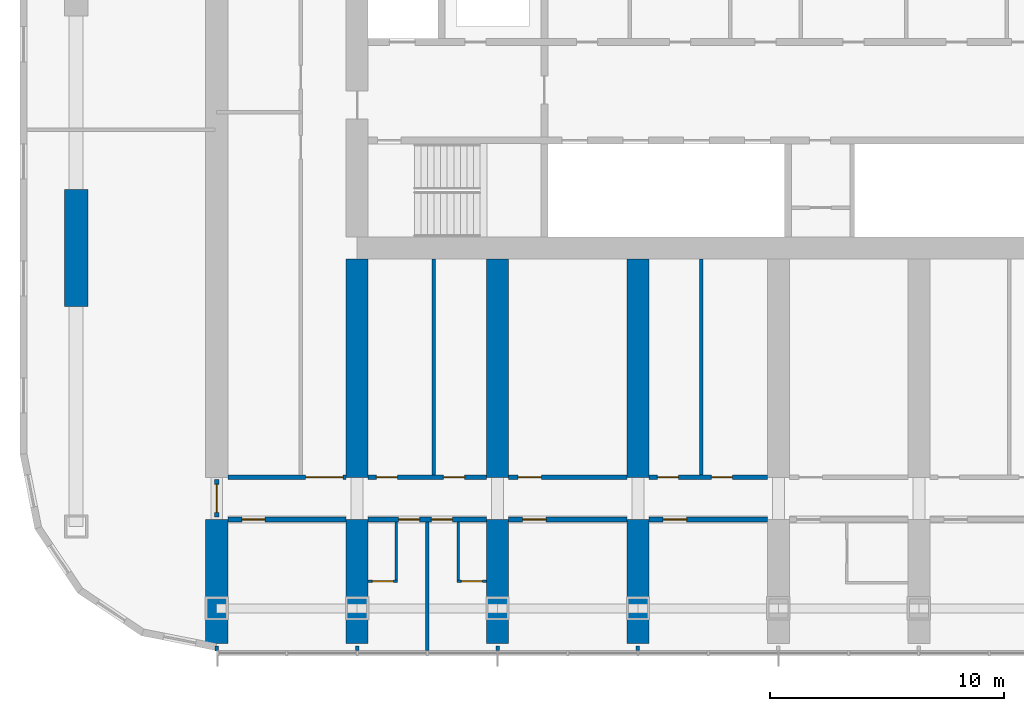
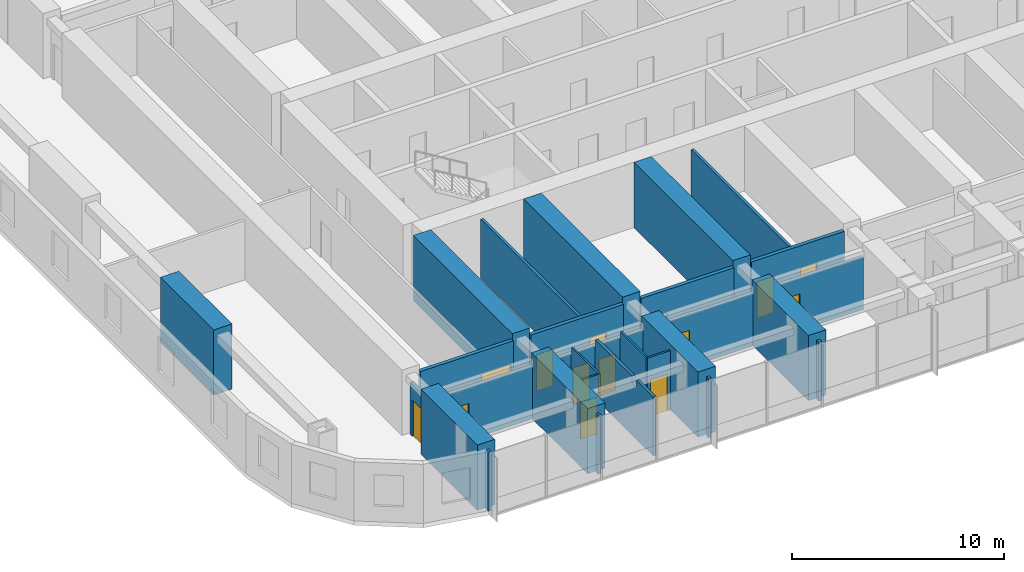
# One storey, part 8 of 20: 28 walls, 14 doors, 14 openings.
"""IFC4 building model written with IfcOpenShell, lengths in metres."""

import ifcopenshell
import ifcopenshell.guid

model = None  # the IFC model being written
_history = None  # IfcOwnerHistory: only IFC2X3 demands one
_inside = {}  # id of a spatial element -> (the spatial element, [elements in it])
_under = {}  # id of a project, library or spatial element -> (it, [spatial elements below it])
_declared = {}  # id of a project -> (the project, [libraries it declares])
_typed = {}  # id of a type object -> (the type object, [elements of that type])
_made_of = {}  # id of a material, layer set ... -> (it, [elements and type objects made of it])


def new_model(schema):
    """Start an empty IFC model of exactly this schema.

    Asked for "IFC4X3", IfcOpenShell would pick the latest addendum, in which some entities
    have other attributes; the version numbers below select the first issue.
    IFC2X3 requires an IfcOwnerHistory on every rooted entity: one is made here for all.
    """
    global model, _history
    if schema == "IFC4X3":
        model = ifcopenshell.file(schema_version=(4, 3, 0, 0))
    else:
        model = ifcopenshell.file(schema=schema)
    _inside.clear()
    _under.clear()
    _declared.clear()
    _typed.clear()
    _made_of.clear()
    _history = None
    if model.schema == "IFC2X3":
        org = make("IfcOrganization", Name="unknown")
        user = make(
            "IfcPersonAndOrganization",
            ThePerson=make("IfcPerson", FamilyName="unknown"),
            TheOrganization=org,
        )
        app = make(
            "IfcApplication",
            ApplicationDeveloper=org,
            Version="unknown",
            ApplicationFullName="unknown",
            ApplicationIdentifier="unknown",
        )
        _history = make(
            "IfcOwnerHistory",
            OwningUser=user,
            OwningApplication=app,
            ChangeAction="ADDED",
            CreationDate=0,
        )
    return model


def make(cls, **values):
    """One entity of the class cls with the attributes given. An attribute that is None is left unset."""
    return model.create_entity(
        cls, **{name: value for name, value in values.items() if value is not None}
    )


def rooted(cls, **values):
    """An entity with a GlobalId (a new one), such as an element, a storey or a relation."""
    return make(cls, GlobalId=ifcopenshell.guid.new(), OwnerHistory=_history, **values)


def si_unit(unit_type, name, prefix=None):
    """IfcSIUnit, for example si_unit("LENGTHUNIT", "METRE", prefix="MILLI")."""
    return make("IfcSIUnit", UnitType=unit_type, Prefix=prefix, Name=name)


def assignment(units):
    """IfcUnitAssignment: the units of a project."""
    return None if units is None else make("IfcUnitAssignment", Units=units)


def point(xyz):
    """IfcCartesianPoint."""
    return None if xyz is None else make("IfcCartesianPoint", Coordinates=xyz)


def direction(xyz):
    """IfcDirection."""
    return None if xyz is None else make("IfcDirection", DirectionRatios=xyz)


def frame(location, z_axis=None, x_axis=None):
    """IfcAxis2Placement3D, a coordinate frame: its origin and axes. An axis left out is left unset."""
    return make(
        "IfcAxis2Placement3D",
        Location=point(location),
        Axis=direction(z_axis),
        RefDirection=direction(x_axis),
    )


def frame_2d(location, x_axis=None):
    """IfcAxis2Placement2D, a coordinate frame in the plane: its origin and x axis."""
    return make(
        "IfcAxis2Placement2D", Location=point(location), RefDirection=direction(x_axis)
    )


def origin():
    """The frame at (0, 0, 0) with its axes left unset."""
    return frame((0.0, 0.0, 0.0))


def place(relative_to, where):
    """IfcLocalPlacement: puts the frame where relative to a parent placement (None: the world)."""
    return make(
        "IfcLocalPlacement", PlacementRelTo=relative_to, RelativePlacement=where
    )


def context(
    kind, dimensions, precision=None, world=None, true_north=None, identifier=None
):
    """IfcGeometricRepresentationContext, for example the 3D "Model" context."""
    return make(
        "IfcGeometricRepresentationContext",
        ContextIdentifier=identifier,
        ContextType=kind,
        CoordinateSpaceDimension=dimensions,
        Precision=precision,
        WorldCoordinateSystem=world,
        TrueNorth=true_north,
    )


def subcontext(parent, identifier, kind, view, scale=None):
    """IfcGeometricRepresentationSubContext, for example "Body" below "Model"."""
    return make(
        "IfcGeometricRepresentationSubContext",
        ContextIdentifier=identifier,
        ContextType=kind,
        ParentContext=parent,
        TargetScale=scale,
        TargetView=view,
    )


def project(units=None, contexts=None):
    """IfcProject with its units and contexts."""
    return rooted(
        "IfcProject",
        Name="project",
        RepresentationContexts=contexts,
        UnitsInContext=assignment(units),
    )


def spatial(cls, under=None, at=None, **own):
    """A site, building, storey or space (cls), placed at a placement, below another one or the project."""
    s = rooted(cls, ObjectPlacement=at, **own)
    if under is not None:
        _under.setdefault(under.id(), (under, []))[1].append(s)
    return s


def polyline(points):
    """IfcPolyline through the points."""
    return make("IfcPolyline", Points=[point(p) for p in points])


def profile(cls, at=None, kind="AREA", **sizes):
    """A parametric profile (cls). Its sizes go by their IFC names, for example OverallWidth=200.0."""
    return make(cls, ProfileType=kind, Position=at, **sizes)


def rectangle(**sizes):
    """IfcRectangleProfileDef."""
    return profile("IfcRectangleProfileDef", **sizes)


def outline(outer, holes=None, kind="AREA"):
    """IfcArbitraryClosedProfileDef: a profile drawn as a closed curve; with holes, ...WithVoids."""
    if holes is None:
        return make("IfcArbitraryClosedProfileDef", ProfileType=kind, OuterCurve=outer)
    return make(
        "IfcArbitraryProfileDefWithVoids",
        ProfileType=kind,
        OuterCurve=outer,
        InnerCurves=holes,
    )


def extrude(swept, where, along, depth):
    """IfcExtrudedAreaSolid: the profile swept, set in the frame where, extruded along a direction by depth."""
    return make(
        "IfcExtrudedAreaSolid",
        SweptArea=swept,
        Position=where,
        ExtrudedDirection=direction(along),
        Depth=depth,
    )


def shape(context_of_items, identifier, shape_type, items):
    """IfcShapeRepresentation: the items that make up one representation, for example the "Body"."""
    return make(
        "IfcShapeRepresentation",
        ContextOfItems=context_of_items,
        RepresentationIdentifier=identifier,
        RepresentationType=shape_type,
        Items=items,
    )


def material(Name=None, Category=None):
    """IfcMaterial."""
    return make("IfcMaterial", Name=Name, Category=Category)


def layer(
    of_material, thickness, ventilated=None, Name=None, Category=None, Priority=None
):
    """IfcMaterialLayer: one layer of a wall or slab, of a material (None: an air gap)."""
    return make(
        "IfcMaterialLayer",
        Material=of_material,
        LayerThickness=thickness,
        IsVentilated=ventilated,
        Name=Name,
        Category=Category,
        Priority=Priority,
    )


def layer_set(layers, Name=None):
    """IfcMaterialLayerSet."""
    return make("IfcMaterialLayerSet", MaterialLayers=layers, LayerSetName=Name)


def made_of(thing, what):
    """Note that an element or type object is made of a material, layer set ...; save() writes the relation."""
    if what is not None:
        _made_of.setdefault(what.id(), (what, []))[1].append(thing)
    return thing


def type_object(cls, material=None, **own):
    """A type object (cls), such as IfcWallType, which elements share."""
    return made_of(rooted(cls, **own), material)


def element(
    cls,
    number,
    at=None,
    inside=None,
    cuts=None,
    type_object=None,
    material=None,
    context=None,
    identifier="Body",
    shape_type=None,
    held_by="IfcProductDefinitionShape",
    body=None,
    shapes=None,
    **own,
):
    """One element of the class cls, such as IfcWall. Its Tag is "e" and its number.

    at: its placement. inside: the storey or other place that contains it. cuts: it is an
    opening in that element (IfcRelVoidsElement). A single representation is given by context,
    identifier, shape_type and body (its items); several are given by shapes. held_by: the class
    of the entity that holds the representations. save() writes the other relations.
    """
    e = rooted(cls, Tag="e%d" % number, ObjectPlacement=at, **own)
    if body is not None:
        shapes = [shape(context, identifier, shape_type, body)]
    if shapes is not None:
        e.Representation = make(held_by, Representations=shapes)
    if inside is not None:
        _inside.setdefault(inside.id(), (inside, []))[1].append(e)
    if cuts is not None:
        rooted(
            "IfcRelVoidsElement", RelatingBuildingElement=cuts, RelatedOpeningElement=e
        )
    if type_object is not None:
        _typed.setdefault(type_object.id(), (type_object, []))[1].append(e)
    return made_of(e, material)


def fill(opening, filler):
    """IfcRelFillsElement: the door or window that sits in an opening."""
    return rooted(
        "IfcRelFillsElement",
        RelatingOpeningElement=opening,
        RelatedBuildingElement=filler,
    )


def aggregate(whole, parts):
    """IfcRelAggregates: a whole, such as a stair, and the parts it consists of."""
    return rooted("IfcRelAggregates", RelatingObject=whole, RelatedObjects=parts)


def save(model, path):
    """Write the relations noted so far, then the file.

    IfcRelAggregates (storeys below a building ...), IfcRelContainedInSpatialStructure (elements
    in a storey), IfcRelDefinesByType, IfcRelAssociatesMaterial and IfcRelDeclares: one each for
    every whole, place, type object, material and project.
    """
    for whole, parts in _under.values():
        aggregate(whole, parts)
    for where, things in _inside.values():
        rooted(
            "IfcRelContainedInSpatialStructure",
            RelatedElements=things,
            RelatingStructure=where,
        )
    for kind, things in _typed.values():
        rooted("IfcRelDefinesByType", RelatedObjects=things, RelatingType=kind)
    for what, things in _made_of.values():
        rooted("IfcRelAssociatesMaterial", RelatedObjects=things, RelatingMaterial=what)
    for by, libraries in _declared.values():
        rooted("IfcRelDeclares", RelatingContext=by, RelatedDefinitions=libraries)
    model.write(path)


model = new_model("IFC4")

# Units and contexts
model_context = context("Model", 3, precision=1e-05, world=origin(), true_north=direction((0.0, 1.0)))
body_context = subcontext(model_context, "Body", "Model", "MODEL_VIEW")
ifc_project = project(units=[si_unit("LENGTHUNIT", "METRE"), si_unit("AREAUNIT", "SQUARE_METRE"), si_unit("VOLUMEUNIT", "CUBIC_METRE"), si_unit("PLANEANGLEUNIT", "RADIAN"), si_unit("MASSUNIT", "GRAM", prefix="KILO")], contexts=[model_context])

# Site, building, storey
site_placement = place(None, origin())
site = spatial("IfcSite", under=ifc_project, at=site_placement, CompositionType="ELEMENT")
building_placement = place(site_placement, origin())
building = spatial("IfcBuilding", under=site, at=building_placement, Name="Orbita Commons", CompositionType="ELEMENT")
storey_placement = place(building_placement, frame((0.0, 0.0, 129.39990234375)))
storey = spatial("IfcBuildingStorey", under=building, at=storey_placement, Name="L32", CompositionType="ELEMENT", Elevation=129.39990234375)

# Wall, opening, door
ifc_material_1 = material(Name="Concrete blockwork", Category="masonry")
ifc_layer_1 = layer(ifc_material_1, 0.199951171875)
ifc_layer_set_1 = layer_set([ifc_layer_1], Name="Concrete blockwork")
wall_type_1 = type_object("IfcWallType", Name="Corridor wall 200 blockwork", PredefinedType="SOLIDWALL", material=ifc_layer_set_1)
wall_1_placement = place(storey_placement, frame((12.47509765625, 14.199951171875, 0.0), z_axis=(0.0, 0.0, 1.0), x_axis=(1.0, 0.0, 0.0)))
wall_1 = element("IfcWall", 1, at=wall_1_placement, inside=storey, type_object=wall_type_1, Name="Corridor wall 200 blockwork L32", PredefinedType="SOLIDWALL", context=body_context, shape_type="SweptSolid", body=[
    extrude(outline(polyline([(0.0, 0.0), (5.0498046875, 0.0), (5.050048828125, 3.0), (0.0, 3.0), (0.0, 0.0)])), frame((0.0, 0.10009765625, 0.0), z_axis=(0.0, -1.0, 0.0), x_axis=(1.0, 0.0, 0.0)), (0.0, 0.0, 1.0), 0.199951171875),
])
opening_1_placement = place(wall_1_placement, frame((0.60009765625, 0.0, 0.0)))
opening_1 = element("IfcOpeningElement", 2, at=opening_1_placement, cuts=wall_1, Name="Opening D06", PredefinedType="OPENING", context=body_context, shape_type="SweptSolid", body=[
    extrude(rectangle(XDim=1.0, YDim=2.10009765625, at=frame_2d((0.5, 1.050048828125))), frame((0.0, 0.10986328125, 0.0), z_axis=(0.0, -1.0, 0.0), x_axis=(1.0, 0.0, 0.0)), (0.0, 0.0, 1.0), 0.219970703125),
])
ifc_material_2 = material(Name="Steel-faced fire door leaf", Category="steel")
door_type_1 = type_object("IfcDoorType", Name="Corridor door 20 min 1000x2100", OperationType="SINGLE_SWING_LEFT", PredefinedType="DOOR", material=ifc_material_2)
door_1_placement = place(opening_1_placement, origin())
door_1 = element("IfcDoor", 3, at=door_1_placement, inside=storey, type_object=door_type_1, Name="Mountain-view lounge L32-S00 door", OperationType="SINGLE_SWING_LEFT", OverallHeight=2.10009765625, OverallWidth=1.0, PredefinedType="DOOR", context=body_context, shape_type="SweptSolid", body=[
    extrude(rectangle(XDim=1.0, YDim=2.10009765625, at=frame_2d((0.5, 1.050048828125))), frame((0.0, 0.02490234375, 0.0), z_axis=(0.0, -1.0, 0.0), x_axis=(1.0, 0.0, 0.0)), (0.0, 0.0, 1.0), 0.050048828125),
])
fill(opening_1, door_1)

# Wall, openings, doors
wall_2_placement = place(storey_placement, frame((18.47509765625, 14.199951171875, 0.0), z_axis=(0.0, 0.0, 1.0), x_axis=(1.0, 0.0, 0.0)))
wall_2 = element("IfcWall", 4, at=wall_2_placement, inside=storey, type_object=wall_type_1, Name="Corridor wall 200 blockwork L32", PredefinedType="SOLIDWALL", context=body_context, shape_type="SweptSolid", body=[
    extrude(outline(polyline([(0.0, 0.0), (5.0498046875, 0.0), (5.050048828125, 3.0), (0.0, 3.0), (0.0, 0.0)])), frame((0.0, 0.10009765625, 0.0), z_axis=(0.0, -1.0, 0.0), x_axis=(1.0, 0.0, 0.0)), (0.0, 0.0, 1.0), 0.199951171875),
])
opening_2_placement = place(wall_2_placement, frame((1.300048828125, 0.0, 0.0)))
opening_2 = element("IfcOpeningElement", 5, at=opening_2_placement, cuts=wall_2, Name="Opening D11", PredefinedType="OPENING", context=body_context, shape_type="SweptSolid", body=[
    extrude(rectangle(XDim=0.89990234375, YDim=2.10009765625, at=frame_2d((0.449951171875, 1.050048828125))), frame((0.0, 0.10986328125, 0.0), z_axis=(0.0, -1.0, 0.0), x_axis=(1.0, 0.0, 0.0)), (0.0, 0.0, 1.0), 0.219970703125),
])
opening_3_placement = place(wall_2_placement, frame((2.699951171875, 0.0, 0.0)))
opening_3 = element("IfcOpeningElement", 6, at=opening_3_placement, cuts=wall_2, Name="Opening D11", PredefinedType="OPENING", context=body_context, shape_type="SweptSolid", body=[
    extrude(rectangle(XDim=0.89990234375, YDim=2.10009765625, at=frame_2d((0.449951171875, 1.050048828125))), frame((0.0, 0.10986328125, 0.0), z_axis=(0.0, -1.0, 0.0), x_axis=(1.0, 0.0, 0.0)), (0.0, 0.0, 1.0), 0.219970703125),
])
ifc_material_3 = material(Name="Steel-faced fire door leaf", Category="steel")
door_type_2 = type_object("IfcDoorType", Name="Corridor door 20 min 900x2100", OperationType="SINGLE_SWING_LEFT", PredefinedType="DOOR", material=ifc_material_3)
door_2_placement = place(opening_2_placement, origin())
door_2 = element("IfcDoor", 7, at=door_2_placement, inside=storey, type_object=door_type_2, Name="Cluster bedroom L32-S02 door", OperationType="SINGLE_SWING_LEFT", OverallHeight=2.10009765625, OverallWidth=0.89990234375, PredefinedType="DOOR", context=body_context, shape_type="SweptSolid", body=[
    extrude(rectangle(XDim=0.89990234375, YDim=2.10009765625, at=frame_2d((0.449951171875, 1.050048828125))), frame((0.0, 0.02490234375, 0.0), z_axis=(0.0, -1.0, 0.0), x_axis=(1.0, 0.0, 0.0)), (0.0, 0.0, 1.0), 0.050048828125),
])
fill(opening_2, door_2)
door_3_placement = place(opening_3_placement, origin())
door_3 = element("IfcDoor", 8, at=door_3_placement, inside=storey, type_object=door_type_2, Name="Cluster bedroom L32-S03 door", OperationType="SINGLE_SWING_LEFT", OverallHeight=2.10009765625, OverallWidth=0.89990234375, PredefinedType="DOOR", context=body_context, shape_type="SweptSolid", body=[
    extrude(rectangle(XDim=0.89990234375, YDim=2.10009765625, at=frame_2d((0.449951171875, 1.050048828125))), frame((0.0, 0.02490234375, 0.0), z_axis=(0.0, -1.0, 0.0), x_axis=(1.0, 0.0, 0.0)), (0.0, 0.0, 1.0), 0.050048828125),
])
fill(opening_3, door_3)

# Wall, opening, door
wall_3_placement = place(storey_placement, frame((24.47509765625, 14.199951171875, 0.0), z_axis=(0.0, 0.0, 1.0), x_axis=(1.0, 0.0, 0.0)))
wall_3 = element("IfcWall", 9, at=wall_3_placement, inside=storey, type_object=wall_type_1, Name="Corridor wall 200 blockwork L32", PredefinedType="SOLIDWALL", context=body_context, shape_type="SweptSolid", body=[
    extrude(outline(polyline([(0.0, 0.0), (5.0498046875, 0.0), (5.050048828125, 3.0), (0.0, 3.0), (0.0, 0.0)])), frame((0.0, 0.10009765625, 0.0), z_axis=(0.0, -1.0, 0.0), x_axis=(1.0, 0.0, 0.0)), (0.0, 0.0, 1.0), 0.199951171875),
])
opening_4_placement = place(wall_3_placement, frame((0.60009765625, 0.0, 0.0)))
opening_4 = element("IfcOpeningElement", 10, at=opening_4_placement, cuts=wall_3, Name="Opening D06", PredefinedType="OPENING", context=body_context, shape_type="SweptSolid", body=[
    extrude(rectangle(XDim=1.0, YDim=2.10009765625, at=frame_2d((0.5, 1.050048828125))), frame((0.0, 0.10986328125, 0.0), z_axis=(0.0, -1.0, 0.0), x_axis=(1.0, 0.0, 0.0)), (0.0, 0.0, 1.0), 0.219970703125),
])
door_4_placement = place(opening_4_placement, origin())
door_4 = element("IfcDoor", 11, at=door_4_placement, inside=storey, type_object=door_type_1, Name="Mountain-view lounge L32-S04 door", OperationType="SINGLE_SWING_LEFT", OverallHeight=2.10009765625, OverallWidth=1.0, PredefinedType="DOOR", context=body_context, shape_type="SweptSolid", body=[
    extrude(rectangle(XDim=1.0, YDim=2.10009765625, at=frame_2d((0.5, 1.050048828125))), frame((0.0, 0.02490234375, 0.0), z_axis=(0.0, -1.0, 0.0), x_axis=(1.0, 0.0, 0.0)), (0.0, 0.0, 1.0), 0.050048828125),
])
fill(opening_4, door_4)

wall_4_placement = place(storey_placement, frame((30.47509765625, 14.199951171875, 0.0), z_axis=(0.0, 0.0, 1.0), x_axis=(1.0, 0.0, 0.0)))
wall_4 = element("IfcWall", 12, at=wall_4_placement, inside=storey, type_object=wall_type_1, Name="Corridor wall 200 blockwork L32", PredefinedType="SOLIDWALL", context=body_context, shape_type="SweptSolid", body=[
    extrude(outline(polyline([(0.0, 0.0), (5.0498046875, 0.0), (5.050048828125, 3.0), (0.0, 3.0), (0.0, 0.0)])), frame((0.0, 0.10009765625, 0.0), z_axis=(0.0, -1.0, 0.0), x_axis=(1.0, 0.0, 0.0)), (0.0, 0.0, 1.0), 0.199951171875),
])
opening_5_placement = place(wall_4_placement, frame((0.60009765625, 0.0, 0.0)))
opening_5 = element("IfcOpeningElement", 13, at=opening_5_placement, cuts=wall_4, Name="Opening D06", PredefinedType="OPENING", context=body_context, shape_type="SweptSolid", body=[
    extrude(rectangle(XDim=1.0, YDim=2.10009765625, at=frame_2d((0.5, 1.050048828125))), frame((0.0, 0.10986328125, 0.0), z_axis=(0.0, -1.0, 0.0), x_axis=(1.0, 0.0, 0.0)), (0.0, 0.0, 1.0), 0.219970703125),
])
door_5_placement = place(opening_5_placement, origin())
door_5 = element("IfcDoor", 14, at=door_5_placement, inside=storey, type_object=door_type_1, Name="Mountain-view lounge L32-S06 door", OperationType="SINGLE_SWING_LEFT", OverallHeight=2.10009765625, OverallWidth=1.0, PredefinedType="DOOR", context=body_context, shape_type="SweptSolid", body=[
    extrude(rectangle(XDim=1.0, YDim=2.10009765625, at=frame_2d((0.5, 1.050048828125))), frame((0.0, 0.02490234375, 0.0), z_axis=(0.0, -1.0, 0.0), x_axis=(1.0, 0.0, 0.0)), (0.0, 0.0, 1.0), 0.050048828125),
])
fill(opening_5, door_5)

wall_5_placement = place(storey_placement, frame((12.0, 14.300048828125, 0.0), z_axis=(0.0, 0.0, 1.0), x_axis=(0.0, 1.0, 0.0)))
wall_5 = element("IfcWall", 15, at=wall_5_placement, inside=storey, type_object=wall_type_1, Name="Corridor wall 200 blockwork L32", PredefinedType="SOLIDWALL", context=body_context, shape_type="SweptSolid", body=[
    extrude(outline(polyline([(0.0, 0.0), (1.599853515625, 0.0), (1.60009765625, 3.0), (0.0, 3.0), (0.0, 0.0)])), frame((0.0, 0.10009765625, 0.0), z_axis=(0.0, -1.0, 0.0), x_axis=(1.0, 0.0, 0.0)), (0.0, 0.0, 1.0), 0.199951171875),
])
opening_6_placement = place(wall_5_placement, frame((0.199951171875, 0.0, 0.0)))
opening_6 = element("IfcOpeningElement", 16, at=opening_6_placement, cuts=wall_5, Name="Opening D12", PredefinedType="OPENING", context=body_context, shape_type="SweptSolid", body=[
    extrude(rectangle(XDim=1.199951171875, YDim=2.10009765625, at=frame_2d((0.60009765625, 1.050048828125))), frame((0.0, 0.10986328125, 0.0), z_axis=(0.0, -1.0, 0.0), x_axis=(1.0, 0.0, 0.0)), (0.0, 0.0, 1.0), 0.219970703125),
])
ifc_material_4 = material(Name="Steel-faced fire door leaf", Category="steel")
door_type_3 = type_object("IfcDoorType", Name="Double corridor door 20 min 1200x2100", OperationType="DOUBLE_DOOR_SINGLE_SWING", PredefinedType="DOOR", material=ifc_material_4)
door_6_placement = place(opening_6_placement, origin())
door_6 = element("IfcDoor", 17, at=door_6_placement, inside=storey, type_object=door_type_3, Name="Lounge doors", OperationType="DOUBLE_DOOR_SINGLE_SWING", OverallHeight=2.10009765625, OverallWidth=1.199951171875, PredefinedType="DOOR", context=body_context, shape_type="SweptSolid", body=[
    extrude(rectangle(XDim=1.199951171875, YDim=2.10009765625, at=frame_2d((0.60009765625, 1.050048828125))), frame((0.0, 0.02490234375, 0.0), z_axis=(0.0, -1.0, 0.0), x_axis=(1.0, 0.0, 0.0)), (0.0, 0.0, 1.0), 0.050048828125),
])
fill(opening_6, door_6)

ifc_material_5 = material(Name="Hollow concrete block 200", Category="concrete")
ifc_layer_2 = layer(ifc_material_5, 0.199951171875)
ifc_layer_set_2 = layer_set([ifc_layer_2], Name="Hollow concrete block 200")
wall_type_2 = type_object("IfcWallType", Name="Corridor wall 200 hollow concrete block", PredefinedType="SOLIDWALL", material=ifc_layer_set_2)
wall_6_placement = place(storey_placement, frame((12.47509765625, 16.0, 0.0), z_axis=(0.0, 0.0, 1.0), x_axis=(1.0, 0.0, 0.0)))
wall_6 = element("IfcWall", 18, at=wall_6_placement, inside=storey, type_object=wall_type_2, Name="Corridor wall 200 hollow concrete block L32", PredefinedType="SOLIDWALL", context=body_context, shape_type="SweptSolid", body=[
    extrude(rectangle(XDim=5.0498046875, YDim=0.199951171875, at=frame_2d((2.52490234375, 0.0))), origin(), (0.0, 0.0, 1.0), 3.400146484375),
])
opening_7_placement = place(wall_6_placement, frame((3.324951171875, 0.0, 0.0)))
opening_7 = element("IfcOpeningElement", 19, at=opening_7_placement, cuts=wall_6, Name="Opening D10", PredefinedType="OPENING", context=body_context, shape_type="SweptSolid", body=[
    extrude(rectangle(XDim=1.60009765625, YDim=2.10009765625, at=frame_2d((0.800048828125, 1.050048828125))), frame((0.0, 0.10986328125, 0.0), z_axis=(0.0, -1.0, 0.0), x_axis=(1.0, 0.0, 0.0)), (0.0, 0.0, 1.0), 0.219970703125),
])
ifc_material_6 = material(Name="Steel-faced fire door leaf", Category="steel")
door_type_4 = type_object("IfcDoorType", Name="Double corridor door 20 min 1600x2100", OperationType="DOUBLE_DOOR_SINGLE_SWING", PredefinedType="DOOR", material=ifc_material_6)
door_7_placement = place(opening_7_placement, origin())
door_7 = element("IfcDoor", 20, at=door_7_placement, inside=storey, type_object=door_type_4, Name="Cross corridor doors", OperationType="DOUBLE_DOOR_SINGLE_SWING", OverallHeight=2.10009765625, OverallWidth=1.60009765625, PredefinedType="DOOR", context=body_context, shape_type="SweptSolid", body=[
    extrude(rectangle(XDim=1.60009765625, YDim=2.10009765625, at=frame_2d((0.800048828125, 1.050048828125))), frame((0.0, 0.02490234375, 0.0), z_axis=(0.0, -1.0, 0.0), x_axis=(1.0, 0.0, 0.0)), (0.0, 0.0, 1.0), 0.050048828125),
])
fill(opening_7, door_7)

# Wall, openings, doors
wall_7_placement = place(storey_placement, frame((18.47509765625, 16.0, 0.0), z_axis=(0.0, 0.0, 1.0), x_axis=(1.0, 0.0, 0.0)))
wall_7 = element("IfcWall", 21, at=wall_7_placement, inside=storey, type_object=wall_type_2, Name="Corridor wall 200 hollow concrete block L32", PredefinedType="SOLIDWALL", context=body_context, shape_type="SweptSolid", body=[
    extrude(rectangle(XDim=5.0498046875, YDim=0.199951171875, at=frame_2d((2.52490234375, 0.0))), origin(), (0.0, 0.0, 1.0), 3.400146484375),
])
opening_8_placement = place(wall_7_placement, frame((0.35009765625, 0.0, 0.0)))
opening_8 = element("IfcOpeningElement", 22, at=opening_8_placement, cuts=wall_7, Name="Opening D11", PredefinedType="OPENING", context=body_context, shape_type="SweptSolid", body=[
    extrude(rectangle(XDim=0.89990234375, YDim=2.10009765625, at=frame_2d((0.449951171875, 1.050048828125))), frame((0.0, 0.10986328125, 0.0), z_axis=(0.0, -1.0, 0.0), x_axis=(1.0, 0.0, 0.0)), (0.0, 0.0, 1.0), 0.219970703125),
])
opening_9_placement = place(wall_7_placement, frame((3.215087890625, 0.0, 0.0)))
opening_9 = element("IfcOpeningElement", 23, at=opening_9_placement, cuts=wall_7, Name="Opening D11", PredefinedType="OPENING", context=body_context, shape_type="SweptSolid", body=[
    extrude(rectangle(XDim=0.89990234375, YDim=2.10009765625, at=frame_2d((0.449951171875, 1.050048828125))), frame((0.0, 0.10986328125, 0.0), z_axis=(0.0, -1.0, 0.0), x_axis=(1.0, 0.0, 0.0)), (0.0, 0.0, 1.0), 0.219970703125),
])
door_8_placement = place(opening_8_placement, origin())
door_8 = element("IfcDoor", 24, at=door_8_placement, inside=storey, type_object=door_type_2, Name="Quiet room L32-BDS18 door", OperationType="SINGLE_SWING_LEFT", OverallHeight=2.10009765625, OverallWidth=0.89990234375, PredefinedType="DOOR", context=body_context, shape_type="SweptSolid", body=[
    extrude(rectangle(XDim=0.89990234375, YDim=2.10009765625, at=frame_2d((0.449951171875, 1.050048828125))), frame((0.0, 0.02490234375, 0.0), z_axis=(0.0, -1.0, 0.0), x_axis=(1.0, 0.0, 0.0)), (0.0, 0.0, 1.0), 0.050048828125),
])
fill(opening_8, door_8)
door_9_placement = place(opening_9_placement, origin())
door_9 = element("IfcDoor", 25, at=door_9_placement, inside=storey, type_object=door_type_2, Name="Accessible WC and shower room L32-BDS18n door", OperationType="SINGLE_SWING_LEFT", OverallHeight=2.10009765625, OverallWidth=0.89990234375, PredefinedType="DOOR", context=body_context, shape_type="SweptSolid", body=[
    extrude(rectangle(XDim=0.89990234375, YDim=2.10009765625, at=frame_2d((0.449951171875, 1.050048828125))), frame((0.0, 0.02490234375, 0.0), z_axis=(0.0, -1.0, 0.0), x_axis=(1.0, 0.0, 0.0)), (0.0, 0.0, 1.0), 0.050048828125),
])
fill(opening_9, door_9)

# Wall, opening, door
wall_8_placement = place(storey_placement, frame((24.47509765625, 16.0, 0.0), z_axis=(0.0, 0.0, 1.0), x_axis=(1.0, 0.0, 0.0)))
wall_8 = element("IfcWall", 26, at=wall_8_placement, inside=storey, type_object=wall_type_2, Name="Corridor wall 200 hollow concrete block L32", PredefinedType="SOLIDWALL", context=body_context, shape_type="SweptSolid", body=[
    extrude(rectangle(XDim=5.0498046875, YDim=0.199951171875, at=frame_2d((2.52490234375, 0.0))), origin(), (0.0, 0.0, 1.0), 3.400146484375),
])
opening_10_placement = place(wall_8_placement, frame((0.39990234375, 0.0, 0.0)))
opening_10 = element("IfcOpeningElement", 27, at=opening_10_placement, cuts=wall_8, Name="Opening D06", PredefinedType="OPENING", context=body_context, shape_type="SweptSolid", body=[
    extrude(rectangle(XDim=1.0, YDim=2.10009765625, at=frame_2d((0.5, 1.050048828125))), frame((0.0, 0.10986328125, 0.0), z_axis=(0.0, -1.0, 0.0), x_axis=(1.0, 0.0, 0.0)), (0.0, 0.0, 1.0), 0.219970703125),
])
door_10_placement = place(opening_10_placement, origin())
door_10 = element("IfcDoor", 28, at=door_10_placement, inside=storey, type_object=door_type_1, Name="Storage lockers L32-BDS24 door", OperationType="SINGLE_SWING_LEFT", OverallHeight=2.10009765625, OverallWidth=1.0, PredefinedType="DOOR", context=body_context, shape_type="SweptSolid", body=[
    extrude(rectangle(XDim=1.0, YDim=2.10009765625, at=frame_2d((0.5, 1.050048828125))), frame((0.0, 0.02490234375, 0.0), z_axis=(0.0, -1.0, 0.0), x_axis=(1.0, 0.0, 0.0)), (0.0, 0.0, 1.0), 0.050048828125),
])
fill(opening_10, door_10)

# Wall, openings, doors
wall_9_placement = place(storey_placement, frame((30.47509765625, 16.0, 0.0), z_axis=(0.0, 0.0, 1.0), x_axis=(1.0, 0.0, 0.0)))
wall_9 = element("IfcWall", 29, at=wall_9_placement, inside=storey, type_object=wall_type_2, Name="Corridor wall 200 hollow concrete block L32", PredefinedType="SOLIDWALL", context=body_context, shape_type="SweptSolid", body=[
    extrude(rectangle(XDim=5.0498046875, YDim=0.199951171875, at=frame_2d((2.52490234375, 0.0))), origin(), (0.0, 0.0, 1.0), 3.400146484375),
])
opening_11_placement = place(wall_9_placement, frame((0.35009765625, 0.0, 0.0)))
opening_11 = element("IfcOpeningElement", 30, at=opening_11_placement, cuts=wall_9, Name="Opening D11", PredefinedType="OPENING", context=body_context, shape_type="SweptSolid", body=[
    extrude(rectangle(XDim=0.89990234375, YDim=2.10009765625, at=frame_2d((0.449951171875, 1.050048828125))), frame((0.0, 0.10986328125, 0.0), z_axis=(0.0, -1.0, 0.0), x_axis=(1.0, 0.0, 0.0)), (0.0, 0.0, 1.0), 0.219970703125),
])
opening_12_placement = place(wall_9_placement, frame((2.655029296875, 0.0, 0.0)))
opening_12 = element("IfcOpeningElement", 31, at=opening_12_placement, cuts=wall_9, Name="Opening D11", PredefinedType="OPENING", context=body_context, shape_type="SweptSolid", body=[
    extrude(rectangle(XDim=0.89990234375, YDim=2.10009765625, at=frame_2d((0.449951171875, 1.050048828125))), frame((0.0, 0.10986328125, 0.0), z_axis=(0.0, -1.0, 0.0), x_axis=(1.0, 0.0, 0.0)), (0.0, 0.0, 1.0), 0.219970703125),
])
door_11_placement = place(opening_11_placement, origin())
door_11 = element("IfcDoor", 32, at=door_11_placement, inside=storey, type_object=door_type_2, Name="Sprinkler valve room L32-BDS30n door", OperationType="SINGLE_SWING_LEFT", OverallHeight=2.10009765625, OverallWidth=0.89990234375, PredefinedType="DOOR", context=body_context, shape_type="SweptSolid", body=[
    extrude(rectangle(XDim=0.89990234375, YDim=2.10009765625, at=frame_2d((0.449951171875, 1.050048828125))), frame((0.0, 0.02490234375, 0.0), z_axis=(0.0, -1.0, 0.0), x_axis=(1.0, 0.0, 0.0)), (0.0, 0.0, 1.0), 0.050048828125),
])
fill(opening_11, door_11)
door_12_placement = place(opening_12_placement, origin())
door_12 = element("IfcDoor", 33, at=door_12_placement, inside=storey, type_object=door_type_2, Name="Bicycle repair workshop L32-BDS30 door", OperationType="SINGLE_SWING_LEFT", OverallHeight=2.10009765625, OverallWidth=0.89990234375, PredefinedType="DOOR", context=body_context, shape_type="SweptSolid", body=[
    extrude(rectangle(XDim=0.89990234375, YDim=2.10009765625, at=frame_2d((0.449951171875, 1.050048828125))), frame((0.0, 0.02490234375, 0.0), z_axis=(0.0, -1.0, 0.0), x_axis=(1.0, 0.0, 0.0)), (0.0, 0.0, 1.0), 0.050048828125),
])
fill(opening_12, door_12)

# Walls
ifc_material_7 = material(Name="Concrete C50/60", Category="concrete")
ifc_layer_3 = layer(ifc_material_7, 0.949951171875)
ifc_layer_set_3 = layer_set([ifc_layer_3], Name="Concrete C50/60")
wall_type_3 = type_object("IfcWallType", Name="Cross wall 950 C50/60", PredefinedType="SHEAR", material=ifc_layer_set_3)
for number, where, z_axis, x_axis, name in (
    (34, (12.0, 8.89990234375, 0.0), (0.0, 0.0, 1.0), (0.0, 1.0, 0.0), "Cross wall 3 south outer L32"),
    (35, (18.0, 8.89990234375, 0.0), (0.0, 0.0, 1.0), (0.0, 1.0, 0.0), "Cross wall 4 south outer L32"),
):
    element("IfcWall", number, at=place(storey_placement, frame(where, z_axis=z_axis, x_axis=x_axis)), inside=storey, type_object=wall_type_3, Name=name, PredefinedType="SHEAR", context=body_context, shape_type="SweptSolid", body=[
        extrude(rectangle(XDim=5.300048828125, YDim=0.949951171875, at=frame_2d((2.64990234375, 0.0))), origin(), (0.0, 0.0, 1.0), 3.75),
    ])
wall_10_placement = place(storey_placement, frame((18.0, 16.0, 0.0), z_axis=(0.0, 0.0, 1.0), x_axis=(0.0, 1.0, 0.0)))
element("IfcWall", 36, at=wall_10_placement, inside=storey, type_object=wall_type_3, Name="Cross wall 4 south inner L32", PredefinedType="SHEAR", context=body_context, shape_type="SweptSolid", body=[
    extrude(rectangle(XDim=9.324951171875, YDim=0.949951171875, at=frame_2d((4.66259765625, 0.0))), origin(), (0.0, 0.0, 1.0), 3.75),
])
wall_11_placement = place(storey_placement, frame((24.0, 8.89990234375, 0.0), z_axis=(0.0, 0.0, 1.0), x_axis=(0.0, 1.0, 0.0)))
element("IfcWall", 37, at=wall_11_placement, inside=storey, type_object=wall_type_3, Name="Cross wall 5 south outer L32", PredefinedType="SHEAR", context=body_context, shape_type="SweptSolid", body=[
    extrude(rectangle(XDim=5.300048828125, YDim=0.949951171875, at=frame_2d((2.64990234375, 0.0))), origin(), (0.0, 0.0, 1.0), 3.75),
])
wall_12_placement = place(storey_placement, frame((24.0, 16.0, 0.0), z_axis=(0.0, 0.0, 1.0), x_axis=(0.0, 1.0, 0.0)))
element("IfcWall", 38, at=wall_12_placement, inside=storey, type_object=wall_type_3, Name="Cross wall 5 south inner L32", PredefinedType="SHEAR", context=body_context, shape_type="SweptSolid", body=[
    extrude(rectangle(XDim=9.324951171875, YDim=0.949951171875, at=frame_2d((4.66259765625, 0.0))), origin(), (0.0, 0.0, 1.0), 3.75),
])
wall_13_placement = place(storey_placement, frame((30.0, 8.89990234375, 0.0), z_axis=(0.0, 0.0, 1.0), x_axis=(0.0, 1.0, 0.0)))
element("IfcWall", 39, at=wall_13_placement, inside=storey, type_object=wall_type_3, Name="Cross wall 6 south outer L32", PredefinedType="SHEAR", context=body_context, shape_type="SweptSolid", body=[
    extrude(rectangle(XDim=5.300048828125, YDim=0.949951171875, at=frame_2d((2.64990234375, 0.0))), origin(), (0.0, 0.0, 1.0), 3.75),
])
wall_14_placement = place(storey_placement, frame((30.0, 16.0, 0.0), z_axis=(0.0, 0.0, 1.0), x_axis=(0.0, 1.0, 0.0)))
element("IfcWall", 40, at=wall_14_placement, inside=storey, type_object=wall_type_3, Name="Cross wall 6 south inner L32", PredefinedType="SHEAR", context=body_context, shape_type="SweptSolid", body=[
    extrude(rectangle(XDim=9.324951171875, YDim=0.949951171875, at=frame_2d((4.66259765625, 0.0))), origin(), (0.0, 0.0, 1.0), 3.75),
])

# Wall, opening, door
ifc_material_8 = material(Name="Moisture-resistant plasterboard on steel studs", Category="steel")
ifc_layer_4 = layer(ifc_material_8, 0.10009765625)
ifc_layer_set_4 = layer_set([ifc_layer_4], Name="Moisture-resistant plasterboard on steel studs")
wall_type_4 = type_object("IfcWallType", Name="En-suite partition 100", PredefinedType="PARTITIONING", material=ifc_layer_set_4)
wall_15_placement = place(storey_placement, frame((19.72509765625, 11.558349609375, 0.0), z_axis=(0.0, 0.0, 1.0), x_axis=(-1.0, 0.0, 0.0)))
wall_15 = element("IfcWall", 41, at=wall_15_placement, inside=storey, type_object=wall_type_4, Name="En-suite partition 100 L32", PredefinedType="PARTITIONING", context=body_context, shape_type="SweptSolid", body=[
    extrude(rectangle(XDim=1.25, YDim=0.10009765625, at=frame_2d((0.625, 0.0))), origin(), (0.0, 0.0, 1.0), 3.400146484375),
])
opening_13_placement = place(wall_15_placement, frame((0.175048828125, 0.0, 0.0)))
opening_13 = element("IfcOpeningElement", 42, at=opening_13_placement, cuts=wall_15, Name="Opening D09", PredefinedType="OPENING", context=body_context, shape_type="SweptSolid", body=[
    extrude(rectangle(XDim=0.89990234375, YDim=2.10009765625, at=frame_2d((0.449951171875, 1.050048828125))), frame((0.0, 0.06005859375, 0.0), z_axis=(0.0, -1.0, 0.0), x_axis=(1.0, 0.0, 0.0)), (0.0, 0.0, 1.0), 0.1201171875),
])
ifc_material_9 = material(Name="Laminated timber door leaf", Category="wood")
door_type_5 = type_object("IfcDoorType", Name="En-suite door 900x2100", OperationType="SINGLE_SWING_RIGHT", PredefinedType="DOOR", material=ifc_material_9)
door_13_placement = place(opening_13_placement, origin())
door_13 = element("IfcDoor", 43, at=door_13_placement, inside=storey, type_object=door_type_5, Name="En-suite L32-S02 door", OperationType="SINGLE_SWING_RIGHT", OverallHeight=2.10009765625, OverallWidth=0.89990234375, PredefinedType="DOOR", context=body_context, shape_type="SweptSolid", body=[
    extrude(rectangle(XDim=0.89990234375, YDim=2.10009765625, at=frame_2d((0.449951171875, 1.050048828125))), frame((0.0, 0.02490234375, 0.0), z_axis=(0.0, -1.0, 0.0), x_axis=(1.0, 0.0, 0.0)), (0.0, 0.0, 1.0), 0.050048828125),
])
fill(opening_13, door_13)

# Wall
wall_16_placement = place(storey_placement, frame((19.675048828125, 11.6083984375, 0.0), z_axis=(0.0, 0.0, 1.0), x_axis=(0.0, 1.0, 0.0)))
element("IfcWall", 44, at=wall_16_placement, inside=storey, type_object=wall_type_4, Name="En-suite partition 100 L32", PredefinedType="PARTITIONING", context=body_context, shape_type="SweptSolid", body=[
    extrude(outline(polyline([(0.0, 0.0), (2.49169921875, 0.0), (2.49169921875, 3.0), (2.443603515625, 3.0), (2.441650390625, 3.400146484375), (0.0, 3.400146484375), (0.0, 0.0)])), frame((0.0, 0.050048828125, 0.0), z_axis=(0.0, -1.0, 0.0), x_axis=(1.0, 0.0, 0.0)), (0.0, 0.0, 1.0), 0.10009765625),
])

# Wall, opening, door
wall_17_placement = place(storey_placement, frame((23.52490234375, 11.558349609375, 0.0), z_axis=(0.0, 0.0, 1.0), x_axis=(-1.0, 0.0, 0.0)))
wall_17 = element("IfcWall", 45, at=wall_17_placement, inside=storey, type_object=wall_type_4, Name="En-suite partition 100 L32", PredefinedType="PARTITIONING", context=body_context, shape_type="SweptSolid", body=[
    extrude(rectangle(XDim=1.25, YDim=0.10009765625, at=frame_2d((0.625, 0.0))), origin(), (0.0, 0.0, 1.0), 3.400146484375),
])
opening_14_placement = place(wall_17_placement, frame((0.175048828125, 0.0, 0.0)))
opening_14 = element("IfcOpeningElement", 46, at=opening_14_placement, cuts=wall_17, Name="Opening D09", PredefinedType="OPENING", context=body_context, shape_type="SweptSolid", body=[
    extrude(rectangle(XDim=0.89990234375, YDim=2.10009765625, at=frame_2d((0.449951171875, 1.050048828125))), frame((0.0, 0.06005859375, 0.0), z_axis=(0.0, -1.0, 0.0), x_axis=(1.0, 0.0, 0.0)), (0.0, 0.0, 1.0), 0.1201171875),
])
door_14_placement = place(opening_14_placement, origin())
door_14 = element("IfcDoor", 47, at=door_14_placement, inside=storey, type_object=door_type_5, Name="En-suite L32-S03 door", OperationType="SINGLE_SWING_RIGHT", OverallHeight=2.10009765625, OverallWidth=0.89990234375, PredefinedType="DOOR", context=body_context, shape_type="SweptSolid", body=[
    extrude(rectangle(XDim=0.89990234375, YDim=2.10009765625, at=frame_2d((0.449951171875, 1.050048828125))), frame((0.0, 0.02490234375, 0.0), z_axis=(0.0, -1.0, 0.0), x_axis=(1.0, 0.0, 0.0)), (0.0, 0.0, 1.0), 0.050048828125),
])
fill(opening_14, door_14)

# Walls
wall_18_placement = place(storey_placement, frame((22.324951171875, 11.6083984375, 0.0), z_axis=(0.0, 0.0, 1.0), x_axis=(0.0, 1.0, 0.0)))
element("IfcWall", 48, at=wall_18_placement, inside=storey, type_object=wall_type_4, Name="En-suite partition 100 L32", PredefinedType="PARTITIONING", context=body_context, shape_type="SweptSolid", body=[
    extrude(outline(polyline([(0.0, 0.0), (2.49169921875, 0.0), (2.49169921875, 3.0), (2.443603515625, 3.0), (2.441650390625, 3.400146484375), (0.0, 3.400146484375), (0.0, 0.0)])), frame((0.0, 0.050048828125, 0.0), z_axis=(0.0, -1.0, 0.0), x_axis=(1.0, 0.0, 0.0)), (0.0, 0.0, 1.0), 0.10009765625),
])
ifc_material_10 = material(Name="Concrete C50/60", Category="concrete")
ifc_layer_5 = layer(ifc_material_10, 1.0)
ifc_layer_set_5 = layer_set([ifc_layer_5], Name="Concrete C50/60")
wall_type_5 = type_object("IfcWallType", Name="End pier 1000x5000 C50/60", PredefinedType="SHEAR", material=ifc_layer_set_5)
wall_19_placement = place(storey_placement, frame((6.0, 23.300048828125, 0.0), z_axis=(0.0, 0.0, 1.0), x_axis=(0.0, 1.0, 0.0)))
element("IfcWall", 49, at=wall_19_placement, inside=storey, type_object=wall_type_5, Name="End pier 2/C L32", PredefinedType="SHEAR", context=body_context, shape_type="SweptSolid", body=[
    extrude(rectangle(XDim=5.0, YDim=1.0, at=frame_2d((2.5, 0.0))), origin(), (0.0, 0.0, 1.0), 3.75),
])
ifc_material_11 = material(Name="Gypsum plasterboard on steel studs", Category="steel")
ifc_layer_6 = layer(ifc_material_11, 0.14990234375)
ifc_layer_set_6 = layer_set([ifc_layer_6], Name="Gypsum plasterboard on steel studs")
wall_type_6 = type_object("IfcWallType", Name="Partition 150 plasterboard", PredefinedType="PARTITIONING", material=ifc_layer_set_6)
for number, where, z_axis, x_axis, name in (
    (50, (21.264892578125, 16.10009765625, 0.0), (0.0, 0.0, 1.0), (0.0, 1.0, 0.0), "Partition 150 plasterboard L32"),
    (51, (32.705078125, 16.10009765625, 0.0), (0.0, 0.0, 1.0), (0.0, 1.0, 0.0), "Partition 150 plasterboard L32"),
):
    element("IfcWall", number, at=place(storey_placement, frame(where, z_axis=z_axis, x_axis=x_axis)), inside=storey, type_object=wall_type_6, Name=name, PredefinedType="PARTITIONING", context=body_context, shape_type="SweptSolid", body=[
        extrude(rectangle(XDim=9.224853515625, YDim=0.14990234375, at=frame_2d((4.6123046875, 0.0))), origin(), (0.0, 0.0, 1.0), 3.400146484375),
    ])
wall_20_placement = place(storey_placement, frame((12.0, 8.800048828125, 0.0), z_axis=(0.0, 0.0, 1.0), x_axis=(0.0, -1.0, 0.0)))
element("IfcWall", 52, at=wall_20_placement, inside=storey, type_object=wall_type_6, Name="Partition 150 plasterboard L32", PredefinedType="PARTITIONING", context=body_context, shape_type="SweptSolid", body=[
    extrude(rectangle(XDim=0.219970703125, YDim=0.14990234375, at=frame_2d((0.10986328125, 0.0))), origin(), (0.0, 0.0, 1.0), 3.400146484375),
])
for number, where, z_axis, x_axis, name in (
    (53, (18.0, 8.800048828125, 0.0), (0.0, 0.0, 1.0), (0.0, -1.0, 0.0), "Partition 150 plasterboard L32"),
    (54, (24.0, 8.800048828125, 0.0), (0.0, 0.0, 1.0), (0.0, -1.0, 0.0), "Partition 150 plasterboard L32"),
    (55, (30.0, 8.800048828125, 0.0), (0.0, 0.0, 1.0), (0.0, -1.0, 0.0), "Partition 150 plasterboard L32"),
):
    element("IfcWall", number, at=place(storey_placement, frame(where, z_axis=z_axis, x_axis=x_axis)), inside=storey, type_object=wall_type_6, Name=name, PredefinedType="PARTITIONING", context=body_context, shape_type="SweptSolid", body=[
        extrude(rectangle(XDim=0.18994140625, YDim=0.14990234375, at=frame_2d((0.094970703125, 0.0))), origin(), (0.0, 0.0, 1.0), 3.400146484375),
    ])
ifc_material_12 = material(Name="Gypsum plasterboard on steel studs", Category="steel")
ifc_layer_7 = layer(ifc_material_12, 0.14990234375)
ifc_layer_set_7 = layer_set([ifc_layer_7], Name="Gypsum plasterboard on steel studs")
wall_type_7 = type_object("IfcWallType", Name="Party wall 150 plasterboard", PredefinedType="PARTITIONING", material=ifc_layer_set_7)
wall_21_placement = place(storey_placement, frame((21.0, 8.610107421875, 0.0), z_axis=(0.0, 0.0, 1.0), x_axis=(0.0, 1.0, 0.0)))
element("IfcWall", 56, at=wall_21_placement, inside=storey, type_object=wall_type_7, Name="Party wall 150 plasterboard L32", PredefinedType="PARTITIONING", context=body_context, shape_type="SweptSolid", body=[
    extrude(outline(polyline([(0.0, 0.0), (5.489990234375, 0.0), (5.489990234375, 3.0), (5.44189453125, 3.0), (5.43994140625, 3.400146484375), (1.991943359375, 3.400146484375), (1.989990234375, 3.0), (1.592041015625, 3.0), (1.590087890625, 3.400146484375), (0.0, 3.400146484375), (0.0, 0.0)])), frame((0.0, 0.074951171875, 0.0), z_axis=(0.0, -1.0, 0.0), x_axis=(1.0, 0.0, 0.0)), (0.0, 0.0, 1.0), 0.14990234375),
])

save(model, "model.ifc")
